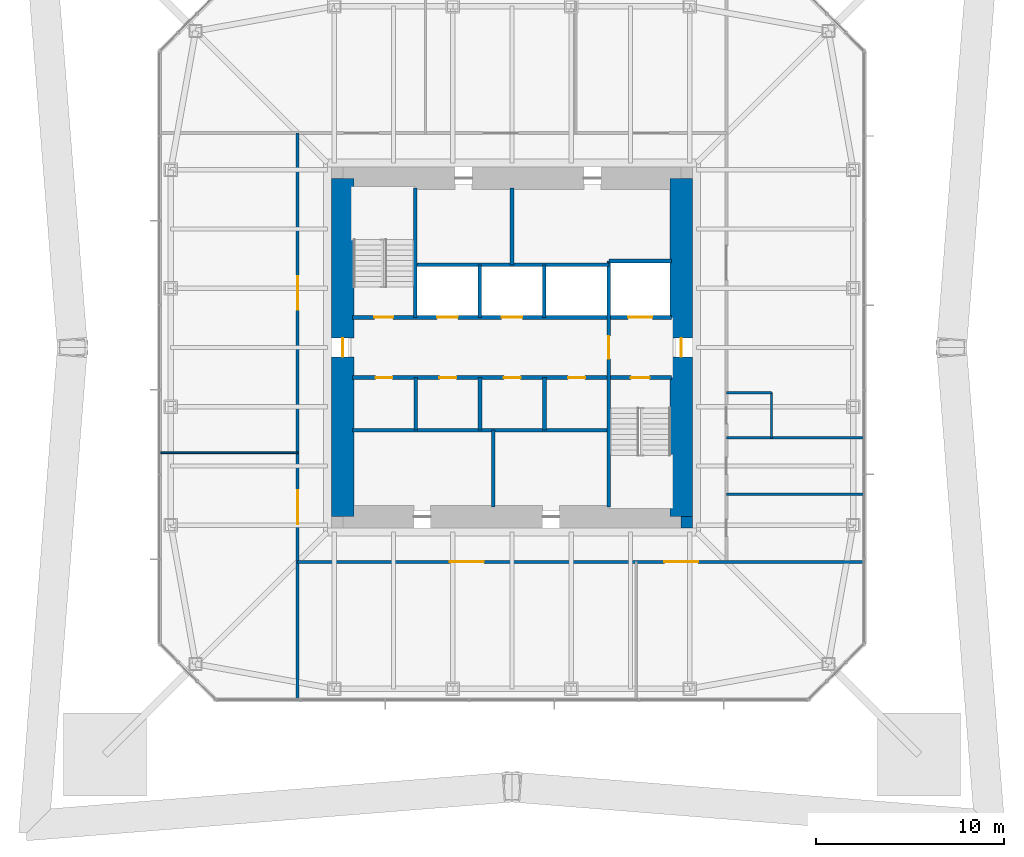
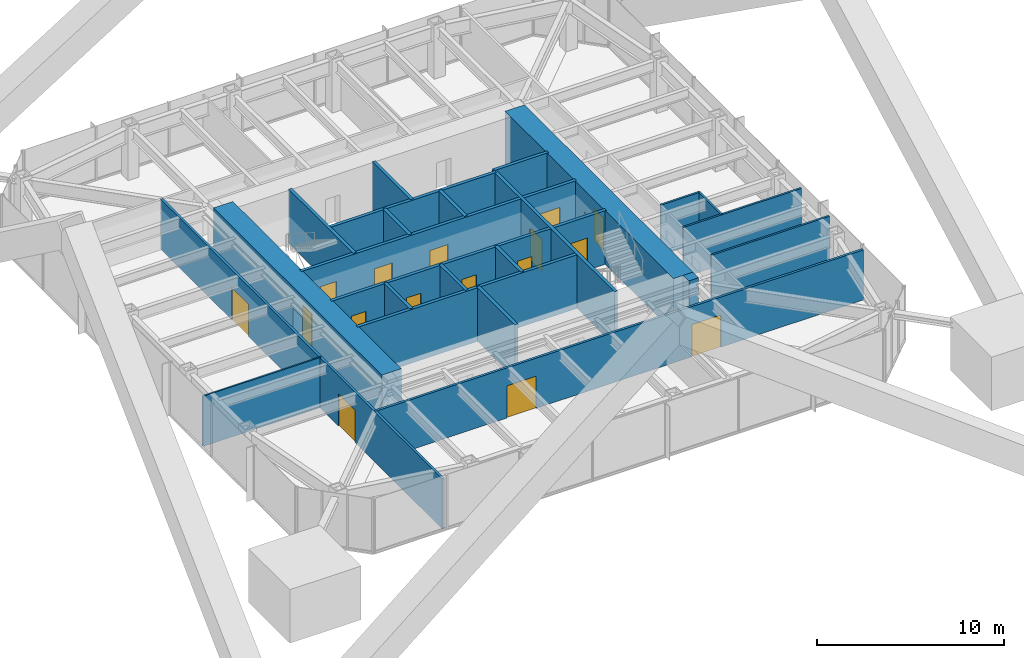
# One storey, part 8 of 11: 24 walls, 16 doors, 16 openings.
"""IFC4 building model written with IfcOpenShell, lengths in metres."""

from ifc_helpers import new_model, si_unit, direction, frame, frame_2d, origin, place, context, subcontext, project, spatial, rectangle, extrude, material, layer, layer_set, type_object, element, fill, save


model = new_model("IFC4")

# Units and contexts
model_context = context("Model", 3, precision=1e-05, world=origin(), true_north=direction((0.0, 1.0)))
body_context = subcontext(model_context, "Body", "Model", "MODEL_VIEW")
ifc_project = project(units=[si_unit("LENGTHUNIT", "METRE"), si_unit("AREAUNIT", "SQUARE_METRE"), si_unit("VOLUMEUNIT", "CUBIC_METRE"), si_unit("PLANEANGLEUNIT", "RADIAN"), si_unit("MASSUNIT", "GRAM", prefix="KILO")], contexts=[model_context])

# Site, building, storey
site_placement = place(None, origin())
site = spatial("IfcSite", under=ifc_project, at=site_placement, CompositionType="ELEMENT")
building_placement = place(site_placement, origin())
building = spatial("IfcBuilding", under=site, at=building_placement, Name="Iwan Alto Co-Living Towers", CompositionType="ELEMENT")
storey_placement = place(building_placement, frame((0.0, 0.0, 149.5)))
storey = spatial("IfcBuildingStorey", under=building, at=storey_placement, Name="L40", CompositionType="ELEMENT", Elevation=149.5)

# Wall, openings, doors
ifc_material_1 = material(Name="Gypsum board")
ifc_layer_1 = layer(ifc_material_1, 0.02490234375, Name="Board", Category="Finish")
ifc_material_2 = material(Name="Steel ASTM A1003 ST33H cold-formed studs", Category="steel")
ifc_layer_2 = layer(ifc_material_2, 0.10009765625, Name="Studs", Category="Framing")
ifc_layer_3 = layer(ifc_material_1, 0.02490234375, Name="Board", Category="Finish")
ifc_layer_set_1 = layer_set([ifc_layer_1, ifc_layer_2, ifc_layer_3], Name="CORRIDOR WALL 150")
wall_type_1 = type_object("IfcWallType", Name="CORRIDOR WALL 150", PredefinedType="PARTITIONING", material=ifc_layer_set_1)
wall_1_placement = place(storey_placement, frame((-11.39990234375, -11.39990234375, 0.0), z_axis=(0.0, 0.0, 1.0), x_axis=(1.0, 0.0, 0.0)))
wall_1 = element("IfcWall", 1, at=wall_1_placement, inside=storey, type_object=wall_type_1, Name="Partition L40", PredefinedType="PARTITIONING", context=body_context, shape_type="SweptSolid", body=[
    extrude(rectangle(XDim=30.08984375, YDim=0.14990234375, at=frame_2d((15.044921875, 0.0))), origin(), (0.0, 0.0, 1.0), 3.27001953125),
])
opening_1_placement = place(wall_1_placement, frame((8.10009765625, 0.0, 0.0)))
opening_1 = element("IfcOpeningElement", 2, at=opening_1_placement, cuts=wall_1, Name="Opening D9", PredefinedType="OPENING", context=body_context, shape_type="SweptSolid", body=[
    extrude(rectangle(XDim=1.800048828125, YDim=2.10009765625, at=frame_2d((0.89990234375, 1.050048828125))), frame((0.0, 0.0849609375, 0.0), z_axis=(0.0, -1.0, 0.0), x_axis=(1.0, 0.0, 0.0)), (0.0, 0.0, 1.0), 0.169921875),
])
opening_2_placement = place(wall_1_placement, frame((19.5, 0.0, 0.0)))
opening_2 = element("IfcOpeningElement", 3, at=opening_2_placement, cuts=wall_1, Name="Opening D9", PredefinedType="OPENING", context=body_context, shape_type="SweptSolid", body=[
    extrude(rectangle(XDim=1.800048828125, YDim=2.10009765625, at=frame_2d((0.89990234375, 1.050048828125))), frame((0.0, 0.0849609375, 0.0), z_axis=(0.0, -1.0, 0.0), x_axis=(1.0, 0.0, 0.0)), (0.0, 0.0, 1.0), 0.169921875),
])
ifc_material_3 = material(Name="Steel frame with timber leaf", Category="steel")
door_type_1 = type_object("IfcDoorType", Name="LOUNGE DOOR FD30S 1800X2100", OperationType="DOUBLE_DOOR_SINGLE_SWING", PredefinedType="DOOR", material=ifc_material_3)
door_1_placement = place(opening_1_placement, frame((1.800048828125, 0.0, 0.0), z_axis=(0.0, 0.0, 1.0), x_axis=(-1.0, 0.0, 0.0)))
door_1 = element("IfcDoor", 4, at=door_1_placement, inside=storey, type_object=door_type_1, Name="Co-working studio door L40", OperationType="DOUBLE_DOOR_SINGLE_SWING", OverallHeight=2.10009765625, OverallWidth=1.800048828125, PredefinedType="DOOR", context=body_context, shape_type="SweptSolid", body=[
    extrude(rectangle(XDim=1.800048828125, YDim=2.10009765625, at=frame_2d((0.89990234375, 1.050048828125))), frame((0.0, 0.02490234375, 0.0), z_axis=(0.0, -1.0, 0.0), x_axis=(1.0, 0.0, 0.0)), (0.0, 0.0, 1.0), 0.050048828125),
])
fill(opening_1, door_1)
door_2_placement = place(opening_2_placement, frame((1.800048828125, 0.0, 0.0), z_axis=(0.0, 0.0, 1.0), x_axis=(-1.0, 0.0, 0.0)))
door_2 = element("IfcDoor", 5, at=door_2_placement, inside=storey, type_object=door_type_1, Name="Meeting room door L40", OperationType="DOUBLE_DOOR_SINGLE_SWING", OverallHeight=2.10009765625, OverallWidth=1.800048828125, PredefinedType="DOOR", context=body_context, shape_type="SweptSolid", body=[
    extrude(rectangle(XDim=1.800048828125, YDim=2.10009765625, at=frame_2d((0.89990234375, 1.050048828125))), frame((0.0, 0.02490234375, 0.0), z_axis=(0.0, -1.0, 0.0), x_axis=(1.0, 0.0, 0.0)), (0.0, 0.0, 1.0), 0.050048828125),
])
fill(opening_2, door_2)

wall_2_placement = place(storey_placement, frame((-11.39990234375, -18.68994140625, 0.0), z_axis=(0.0, 0.0, 1.0), x_axis=(0.0, 1.0, 0.0)))
wall_2 = element("IfcWall", 6, at=wall_2_placement, inside=storey, type_object=wall_type_1, Name="Partition L40", PredefinedType="PARTITIONING", context=body_context, shape_type="SweptSolid", body=[
    extrude(rectangle(XDim=30.08984375, YDim=0.14990234375, at=frame_2d((15.044921875, 0.0))), origin(), (0.0, 0.0, 1.0), 3.27001953125),
])
opening_3_placement = place(wall_2_placement, frame((20.68994140625, 0.0, 0.0)))
opening_3 = element("IfcOpeningElement", 7, at=opening_3_placement, cuts=wall_2, Name="Opening D9", PredefinedType="OPENING", context=body_context, shape_type="SweptSolid", body=[
    extrude(rectangle(XDim=1.800048828125, YDim=2.10009765625, at=frame_2d((0.89990234375, 1.050048828125))), frame((0.0, 0.0849609375, 0.0), z_axis=(0.0, -1.0, 0.0), x_axis=(1.0, 0.0, 0.0)), (0.0, 0.0, 1.0), 0.169921875),
])
opening_4_placement = place(wall_2_placement, frame((9.2900390625, 0.0, 0.0)))
opening_4 = element("IfcOpeningElement", 8, at=opening_4_placement, cuts=wall_2, Name="Opening D9", PredefinedType="OPENING", context=body_context, shape_type="SweptSolid", body=[
    extrude(rectangle(XDim=1.800048828125, YDim=2.10009765625, at=frame_2d((0.89990234375, 1.050048828125))), frame((0.0, 0.0849609375, 0.0), z_axis=(0.0, -1.0, 0.0), x_axis=(1.0, 0.0, 0.0)), (0.0, 0.0, 1.0), 0.169921875),
])
door_3_placement = place(opening_3_placement, origin())
door_3 = element("IfcDoor", 9, at=door_3_placement, inside=storey, type_object=door_type_1, Name="Residents' sky lounge door L40", OperationType="DOUBLE_DOOR_SINGLE_SWING", OverallHeight=2.10009765625, OverallWidth=1.800048828125, PredefinedType="DOOR", context=body_context, shape_type="SweptSolid", body=[
    extrude(rectangle(XDim=1.800048828125, YDim=2.10009765625, at=frame_2d((0.89990234375, 1.050048828125))), frame((0.0, 0.02490234375, 0.0), z_axis=(0.0, -1.0, 0.0), x_axis=(1.0, 0.0, 0.0)), (0.0, 0.0, 1.0), 0.050048828125),
])
fill(opening_3, door_3)
door_4_placement = place(opening_4_placement, origin())
door_4 = element("IfcDoor", 10, at=door_4_placement, inside=storey, type_object=door_type_1, Name="Tea kitchen door L40", OperationType="DOUBLE_DOOR_SINGLE_SWING", OverallHeight=2.10009765625, OverallWidth=1.800048828125, PredefinedType="DOOR", context=body_context, shape_type="SweptSolid", body=[
    extrude(rectangle(XDim=1.800048828125, YDim=2.10009765625, at=frame_2d((0.89990234375, 1.050048828125))), frame((0.0, 0.02490234375, 0.0), z_axis=(0.0, -1.0, 0.0), x_axis=(1.0, 0.0, 0.0)), (0.0, 0.0, 1.0), 0.050048828125),
])
fill(opening_4, door_4)

# Walls
ifc_layer_4 = layer(ifc_material_1, 0.012451171875, Name="Board", Category="Finish")
ifc_layer_5 = layer(ifc_material_2, 0.074951171875, Name="Studs", Category="Framing")
ifc_layer_6 = layer(ifc_material_1, 0.012451171875, Name="Board", Category="Finish")
ifc_layer_set_2 = layer_set([ifc_layer_4, ifc_layer_5, ifc_layer_6], Name="PARTITION 100")
wall_type_2 = type_object("IfcWallType", Name="PARTITION 100", PredefinedType="PARTITIONING", material=ifc_layer_set_2)
wall_3_placement = place(storey_placement, frame((-18.68994140625, -5.60009765625, 0.0), z_axis=(0.0, 0.0, 1.0), x_axis=(1.0, 0.0, 0.0)))
element("IfcWall", 11, at=wall_3_placement, inside=storey, type_object=wall_type_2, Name="Partition L40", PredefinedType="PARTITIONING", context=body_context, shape_type="SweptSolid", body=[
    extrude(rectangle(XDim=7.2900390625, YDim=0.10009765625, at=frame_2d((3.64501953125, 0.0))), origin(), (0.0, 0.0, 1.0), 3.27001953125),
])
ifc_material_4 = material(Name="Concrete f'c 70 MPa", Category="concrete")
ifc_layer_7 = layer(ifc_material_4, 0.199951171875)
ifc_layer_set_3 = layer_set([ifc_layer_7], Name="SHAFT WALL 200")
wall_type_3 = type_object("IfcWallType", Name="SHAFT WALL 200", PredefinedType="SOLIDWALL", material=ifc_layer_set_3)
wall_4_placement = place(storey_placement, frame((-8.489990234375, -4.39990234375, 0.0), z_axis=(0.0, 0.0, 1.0), x_axis=(1.0, 0.0, 0.0)))
element("IfcWall", 12, at=wall_4_placement, inside=storey, type_object=wall_type_3, Name="Shaft wall L40", PredefinedType="SOLIDWALL", context=body_context, shape_type="SweptSolid", body=[
    extrude(rectangle(XDim=13.639892578125, YDim=0.199951171875, at=frame_2d((6.81982421875, 0.0))), origin(), (0.0, 0.0, 1.0), 3.5),
])

# Wall, openings, doors
wall_5_placement = place(storey_placement, frame((-8.489990234375, -1.60009765625, 0.0), z_axis=(0.0, 0.0, 1.0), x_axis=(1.0, 0.0, 0.0)))
wall_5 = element("IfcWall", 13, at=wall_5_placement, inside=storey, type_object=wall_type_3, Name="Shaft wall L40", PredefinedType="SOLIDWALL", context=body_context, shape_type="SweptSolid", body=[
    extrude(rectangle(XDim=16.97998046875, YDim=0.199951171875, at=frame_2d((8.489990234375, 0.0))), origin(), (0.0, 0.0, 1.0), 3.5),
])
opening_5_placement = place(wall_5_placement, frame((14.81005859375, 0.0, 0.0)))
opening_5 = element("IfcOpeningElement", 14, at=opening_5_placement, cuts=wall_5, Name="Opening D5", PredefinedType="OPENING", context=body_context, shape_type="SweptSolid", body=[
    extrude(rectangle(XDim=1.0, YDim=2.10009765625, at=frame_2d((0.5, 1.050048828125))), frame((0.0, 0.10986328125, 0.0), z_axis=(0.0, -1.0, 0.0), x_axis=(1.0, 0.0, 0.0)), (0.0, 0.0, 1.0), 0.219970703125),
])
opening_6_placement = place(wall_5_placement, frame((1.23193359375, 0.0, 0.0)))
opening_6 = element("IfcOpeningElement", 15, at=opening_6_placement, cuts=wall_5, Name="Opening D15", PredefinedType="OPENING", context=body_context, shape_type="SweptSolid", body=[
    extrude(rectangle(XDim=0.89990234375, YDim=2.10009765625, at=frame_2d((0.449951171875, 1.050048828125))), frame((0.0, 0.10986328125, 0.0), z_axis=(0.0, -1.0, 0.0), x_axis=(1.0, 0.0, 0.0)), (0.0, 0.0, 1.0), 0.219970703125),
])
opening_7_placement = place(wall_5_placement, frame((4.626953125, 0.0, 0.0)))
opening_7 = element("IfcOpeningElement", 16, at=opening_7_placement, cuts=wall_5, Name="Opening D15", PredefinedType="OPENING", context=body_context, shape_type="SweptSolid", body=[
    extrude(rectangle(XDim=0.89990234375, YDim=2.10009765625, at=frame_2d((0.449951171875, 1.050048828125))), frame((0.0, 0.10986328125, 0.0), z_axis=(0.0, -1.0, 0.0), x_axis=(1.0, 0.0, 0.0)), (0.0, 0.0, 1.0), 0.219970703125),
])
opening_8_placement = place(wall_5_placement, frame((8.052001953125, 0.0, 0.0)))
opening_8 = element("IfcOpeningElement", 17, at=opening_8_placement, cuts=wall_5, Name="Opening D15", PredefinedType="OPENING", context=body_context, shape_type="SweptSolid", body=[
    extrude(rectangle(XDim=0.89990234375, YDim=2.10009765625, at=frame_2d((0.449951171875, 1.050048828125))), frame((0.0, 0.10986328125, 0.0), z_axis=(0.0, -1.0, 0.0), x_axis=(1.0, 0.0, 0.0)), (0.0, 0.0, 1.0), 0.219970703125),
])
opening_9_placement = place(wall_5_placement, frame((11.47802734375, 0.0, 0.0)))
opening_9 = element("IfcOpeningElement", 18, at=opening_9_placement, cuts=wall_5, Name="Opening D15", PredefinedType="OPENING", context=body_context, shape_type="SweptSolid", body=[
    extrude(rectangle(XDim=0.89990234375, YDim=2.10009765625, at=frame_2d((0.449951171875, 1.050048828125))), frame((0.0, 0.10986328125, 0.0), z_axis=(0.0, -1.0, 0.0), x_axis=(1.0, 0.0, 0.0)), (0.0, 0.0, 1.0), 0.219970703125),
])
ifc_material_5 = material(Name="Steel frame with timber leaf", Category="steel")
door_type_2 = type_object("IfcDoorType", Name="CORE ROOM DOOR FD60S 900X2100", OperationType="SINGLE_SWING_LEFT", PredefinedType="DOOR", material=ifc_material_5)
door_5_placement = place(opening_6_placement, frame((0.89990234375, 0.0, 0.0), z_axis=(0.0, 0.0, 1.0), x_axis=(-1.0, 0.0, 0.0)))
door_5 = element("IfcDoor", 19, at=door_5_placement, inside=storey, type_object=door_type_2, Name="Linen store door L40", OperationType="SINGLE_SWING_LEFT", OverallHeight=2.10009765625, OverallWidth=0.89990234375, PredefinedType="DOOR", context=body_context, shape_type="SweptSolid", body=[
    extrude(rectangle(XDim=0.89990234375, YDim=2.10009765625, at=frame_2d((0.449951171875, 1.050048828125))), frame((0.0, 0.02490234375, 0.0), z_axis=(0.0, -1.0, 0.0), x_axis=(1.0, 0.0, 0.0)), (0.0, 0.0, 1.0), 0.050048828125),
])
fill(opening_6, door_5)
door_6_placement = place(opening_7_placement, frame((0.89990234375, 0.0, 0.0), z_axis=(0.0, 0.0, 1.0), x_axis=(-1.0, 0.0, 0.0)))
door_6 = element("IfcDoor", 20, at=door_6_placement, inside=storey, type_object=door_type_2, Name="Staff WC door L40", OperationType="SINGLE_SWING_RIGHT", OverallHeight=2.10009765625, OverallWidth=0.89990234375, PredefinedType="DOOR", context=body_context, shape_type="SweptSolid", body=[
    extrude(rectangle(XDim=0.89990234375, YDim=2.10009765625, at=frame_2d((0.449951171875, 1.050048828125))), frame((0.0, 0.02490234375, 0.0), z_axis=(0.0, -1.0, 0.0), x_axis=(1.0, 0.0, 0.0)), (0.0, 0.0, 1.0), 0.050048828125),
])
fill(opening_7, door_6)
door_7_placement = place(opening_8_placement, frame((0.89990234375, 0.0, 0.0), z_axis=(0.0, 0.0, 1.0), x_axis=(-1.0, 0.0, 0.0)))
door_7 = element("IfcDoor", 21, at=door_7_placement, inside=storey, type_object=door_type_2, Name="Comms room door L40", OperationType="SINGLE_SWING_RIGHT", OverallHeight=2.10009765625, OverallWidth=0.89990234375, PredefinedType="DOOR", context=body_context, shape_type="SweptSolid", body=[
    extrude(rectangle(XDim=0.89990234375, YDim=2.10009765625, at=frame_2d((0.449951171875, 1.050048828125))), frame((0.0, 0.02490234375, 0.0), z_axis=(0.0, -1.0, 0.0), x_axis=(1.0, 0.0, 0.0)), (0.0, 0.0, 1.0), 0.050048828125),
])
fill(opening_8, door_7)
door_8_placement = place(opening_9_placement, frame((0.89990234375, 0.0, 0.0), z_axis=(0.0, 0.0, 1.0), x_axis=(-1.0, 0.0, 0.0)))
door_8 = element("IfcDoor", 22, at=door_8_placement, inside=storey, type_object=door_type_2, Name="Staff WC door L40", OperationType="SINGLE_SWING_RIGHT", OverallHeight=2.10009765625, OverallWidth=0.89990234375, PredefinedType="DOOR", context=body_context, shape_type="SweptSolid", body=[
    extrude(rectangle(XDim=0.89990234375, YDim=2.10009765625, at=frame_2d((0.449951171875, 1.050048828125))), frame((0.0, 0.02490234375, 0.0), z_axis=(0.0, -1.0, 0.0), x_axis=(1.0, 0.0, 0.0)), (0.0, 0.0, 1.0), 0.050048828125),
])
fill(opening_9, door_8)
ifc_material_6 = material(Name="Steel frame with timber leaf", Category="steel")
door_type_3 = type_object("IfcDoorType", Name="STAIR DOOR FD120S 1000X2100", OperationType="SINGLE_SWING_LEFT", PredefinedType="DOOR", material=ifc_material_6)
door_9_placement = place(opening_5_placement, frame((1.0, 0.0, 0.0), z_axis=(0.0, 0.0, 1.0), x_axis=(-1.0, 0.0, 0.0)))
door_9 = element("IfcDoor", 23, at=door_9_placement, inside=storey, type_object=door_type_3, Name="Stair S2 door L40", OperationType="SINGLE_SWING_RIGHT", OverallHeight=2.10009765625, OverallWidth=1.0, PredefinedType="DOOR", context=body_context, shape_type="SweptSolid", body=[
    extrude(rectangle(XDim=1.0, YDim=2.10009765625, at=frame_2d((0.5, 1.050048828125))), frame((0.0, 0.02490234375, 0.0), z_axis=(0.0, -1.0, 0.0), x_axis=(1.0, 0.0, 0.0)), (0.0, 0.0, 1.0), 0.050048828125),
])
fill(opening_5, door_9)

wall_6_placement = place(storey_placement, frame((-8.489990234375, 1.60009765625, 0.0), z_axis=(0.0, 0.0, 1.0), x_axis=(1.0, 0.0, 0.0)))
wall_6 = element("IfcWall", 24, at=wall_6_placement, inside=storey, type_object=wall_type_3, Name="Shaft wall L40", PredefinedType="SOLIDWALL", context=body_context, shape_type="SweptSolid", body=[
    extrude(rectangle(XDim=16.97998046875, YDim=0.199951171875, at=frame_2d((8.489990234375, 0.0))), origin(), (0.0, 0.0, 1.0), 3.5),
])
opening_10_placement = place(wall_6_placement, frame((1.169921875, 0.0, 0.0)))
opening_10 = element("IfcOpeningElement", 25, at=opening_10_placement, cuts=wall_6, Name="Opening D5", PredefinedType="OPENING", context=body_context, shape_type="SweptSolid", body=[
    extrude(rectangle(XDim=1.0, YDim=2.10009765625, at=frame_2d((0.5, 1.050048828125))), frame((0.0, 0.10986328125, 0.0), z_axis=(0.0, -1.0, 0.0), x_axis=(1.0, 0.0, 0.0)), (0.0, 0.0, 1.0), 0.219970703125),
])
opening_11_placement = place(wall_6_placement, frame((4.506103515625, 0.0, 0.0)))
opening_11 = element("IfcOpeningElement", 26, at=opening_11_placement, cuts=wall_6, Name="Opening LD", PredefinedType="OPENING", context=body_context, shape_type="SweptSolid", body=[
    extrude(rectangle(XDim=1.10009765625, YDim=2.10009765625, at=frame_2d((0.550048828125, 1.050048828125))), frame((0.0, 0.10986328125, 0.0), z_axis=(0.0, -1.0, 0.0), x_axis=(1.0, 0.0, 0.0)), (0.0, 0.0, 1.0), 0.219970703125),
])
opening_12_placement = place(wall_6_placement, frame((7.93994140625, 0.0, 0.0)))
opening_12 = element("IfcOpeningElement", 27, at=opening_12_placement, cuts=wall_6, Name="Opening LD", PredefinedType="OPENING", context=body_context, shape_type="SweptSolid", body=[
    extrude(rectangle(XDim=1.10009765625, YDim=2.10009765625, at=frame_2d((0.550048828125, 1.050048828125))), frame((0.0, 0.10986328125, 0.0), z_axis=(0.0, -1.0, 0.0), x_axis=(1.0, 0.0, 0.0)), (0.0, 0.0, 1.0), 0.219970703125),
])
opening_13_placement = place(wall_6_placement, frame((14.659912109375, 0.0, 0.0)))
opening_13 = element("IfcOpeningElement", 28, at=opening_13_placement, cuts=wall_6, Name="Opening LD2", PredefinedType="OPENING", context=body_context, shape_type="SweptSolid", body=[
    extrude(rectangle(XDim=1.300048828125, YDim=2.10009765625, at=frame_2d((0.64990234375, 1.050048828125))), frame((0.0, 0.10986328125, 0.0), z_axis=(0.0, -1.0, 0.0), x_axis=(1.0, 0.0, 0.0)), (0.0, 0.0, 1.0), 0.219970703125),
])
ifc_material_7 = material(Name="Steel frame with timber leaf", Category="steel")
door_type_4 = type_object("IfcDoorType", Name="LIFT LANDING DOOR 1100X2100", OperationType="DOUBLE_DOOR_SLIDING", PredefinedType="DOOR", material=ifc_material_7)
door_10_placement = place(opening_11_placement, origin())
door_10 = element("IfcDoor", 29, at=door_10_placement, inside=storey, type_object=door_type_4, Name="Lift P3-1 landing door L40", OperationType="DOUBLE_DOOR_SLIDING", OverallHeight=2.10009765625, OverallWidth=1.10009765625, PredefinedType="DOOR", context=body_context, shape_type="SweptSolid", body=[
    extrude(rectangle(XDim=1.10009765625, YDim=2.10009765625, at=frame_2d((0.550048828125, 1.050048828125))), frame((0.0, 0.02490234375, 0.0), z_axis=(0.0, -1.0, 0.0), x_axis=(1.0, 0.0, 0.0)), (0.0, 0.0, 1.0), 0.050048828125),
])
fill(opening_11, door_10)
door_11_placement = place(opening_12_placement, origin())
door_11 = element("IfcDoor", 30, at=door_11_placement, inside=storey, type_object=door_type_4, Name="Lift P3-2 landing door L40", OperationType="DOUBLE_DOOR_SLIDING", OverallHeight=2.10009765625, OverallWidth=1.10009765625, PredefinedType="DOOR", context=body_context, shape_type="SweptSolid", body=[
    extrude(rectangle(XDim=1.10009765625, YDim=2.10009765625, at=frame_2d((0.550048828125, 1.050048828125))), frame((0.0, 0.02490234375, 0.0), z_axis=(0.0, -1.0, 0.0), x_axis=(1.0, 0.0, 0.0)), (0.0, 0.0, 1.0), 0.050048828125),
])
fill(opening_12, door_11)
ifc_material_8 = material(Name="Steel frame with timber leaf", Category="steel")
door_type_5 = type_object("IfcDoorType", Name="LIFT LANDING DOOR 1300X2100", OperationType="SLIDING_TO_LEFT", PredefinedType="DOOR", material=ifc_material_8)
door_12_placement = place(opening_13_placement, origin())
door_12 = element("IfcDoor", 31, at=door_12_placement, inside=storey, type_object=door_type_5, Name="Lift FL1 landing door L40", OperationType="SLIDING_TO_LEFT", OverallHeight=2.10009765625, OverallWidth=1.300048828125, PredefinedType="DOOR", context=body_context, shape_type="SweptSolid", body=[
    extrude(rectangle(XDim=1.300048828125, YDim=2.10009765625, at=frame_2d((0.64990234375, 1.050048828125))), frame((0.0, 0.02490234375, 0.0), z_axis=(0.0, -1.0, 0.0), x_axis=(1.0, 0.0, 0.0)), (0.0, 0.0, 1.0), 0.050048828125),
])
fill(opening_13, door_12)
door_13_placement = place(opening_10_placement, origin())
door_13 = element("IfcDoor", 32, at=door_13_placement, inside=storey, type_object=door_type_3, Name="Stair S1 door L40", OperationType="SINGLE_SWING_RIGHT", OverallHeight=2.10009765625, OverallWidth=1.0, PredefinedType="DOOR", context=body_context, shape_type="SweptSolid", body=[
    extrude(rectangle(XDim=1.0, YDim=2.10009765625, at=frame_2d((0.5, 1.050048828125))), frame((0.0, 0.02490234375, 0.0), z_axis=(0.0, -1.0, 0.0), x_axis=(1.0, 0.0, 0.0)), (0.0, 0.0, 1.0), 0.050048828125),
])
fill(opening_10, door_13)

# Walls
wall_7_placement = place(storey_placement, frame((-5.14990234375, 4.39990234375, 0.0), z_axis=(0.0, 0.0, 1.0), x_axis=(1.0, 0.0, 0.0)))
element("IfcWall", 33, at=wall_7_placement, inside=storey, type_object=wall_type_3, Name="Shaft wall L40", PredefinedType="SOLIDWALL", context=body_context, shape_type="SweptSolid", body=[
    extrude(rectangle(XDim=10.2998046875, YDim=0.199951171875, at=frame_2d((5.14990234375, 0.0))), origin(), (0.0, 0.0, 1.0), 3.5),
])
wall_8_placement = place(storey_placement, frame((5.14990234375, 4.60009765625, 0.0), z_axis=(0.0, 0.0, 1.0), x_axis=(1.0, 0.0, 0.0)))
element("IfcWall", 34, at=wall_8_placement, inside=storey, type_object=wall_type_3, Name="Shaft wall L40", PredefinedType="SOLIDWALL", context=body_context, shape_type="SweptSolid", body=[
    extrude(rectangle(XDim=3.340087890625, YDim=0.199951171875, at=frame_2d((1.669921875, 0.0))), origin(), (0.0, 0.0, 1.0), 3.5),
])

# Wall, opening, door
wall_9_placement = place(storey_placement, frame((5.14990234375, -8.489990234375, 0.0), z_axis=(0.0, 0.0, 1.0), x_axis=(0.0, 1.0, 0.0)))
wall_9 = element("IfcWall", 35, at=wall_9_placement, inside=storey, type_object=wall_type_3, Name="Shaft wall L40", PredefinedType="SOLIDWALL", context=body_context, shape_type="SweptSolid", body=[
    extrude(rectangle(XDim=13.090087890625, YDim=0.199951171875, at=frame_2d((6.544921875, 0.0))), origin(), (0.0, 0.0, 1.0), 3.5),
])
opening_14_placement = place(wall_9_placement, frame((7.889892578125, 0.0, 0.0)))
opening_14 = element("IfcOpeningElement", 36, at=opening_14_placement, cuts=wall_9, Name="Opening D6", PredefinedType="OPENING", context=body_context, shape_type="SweptSolid", body=[
    extrude(rectangle(XDim=1.199951171875, YDim=2.10009765625, at=frame_2d((0.60009765625, 1.050048828125))), frame((0.0, 0.10986328125, 0.0), z_axis=(0.0, -1.0, 0.0), x_axis=(1.0, 0.0, 0.0)), (0.0, 0.0, 1.0), 0.219970703125),
])
ifc_material_9 = material(Name="Steel frame with timber leaf", Category="steel")
door_type_6 = type_object("IfcDoorType", Name="LOBBY DOOR FD120S 1200X2100", OperationType="SINGLE_SWING_LEFT", PredefinedType="DOOR", material=ifc_material_9)
door_14_placement = place(opening_14_placement, frame((1.199951171875, 0.0, 0.0), z_axis=(0.0, 0.0, 1.0), x_axis=(-1.0, 0.0, 0.0)))
door_14 = element("IfcDoor", 37, at=door_14_placement, inside=storey, type_object=door_type_6, Name="Firefighting lobby door L40", OperationType="SINGLE_SWING_RIGHT", OverallHeight=2.10009765625, OverallWidth=1.199951171875, PredefinedType="DOOR", context=body_context, shape_type="SweptSolid", body=[
    extrude(rectangle(XDim=1.199951171875, YDim=2.10009765625, at=frame_2d((0.60009765625, 1.050048828125))), frame((0.0, 0.02490234375, 0.0), z_axis=(0.0, -1.0, 0.0), x_axis=(1.0, 0.0, 0.0)), (0.0, 0.0, 1.0), 0.050048828125),
])
fill(opening_14, door_14)

# Walls
for number, where, z_axis, x_axis, name in (
    (38, (1.72509765625, -4.39990234375, 0.0), (0.0, 0.0, 1.0), (0.0, 1.0, 0.0), "Shaft wall L40"),
    (39, (1.717041015625, 1.60009765625, 0.0), (0.0, 0.0, 1.0), (0.0, 1.0, 0.0), "Shaft wall L40"),
):
    element("IfcWall", number, at=place(storey_placement, frame(where, z_axis=z_axis, x_axis=x_axis)), inside=storey, type_object=wall_type_3, Name=name, PredefinedType="SOLIDWALL", context=body_context, shape_type="SweptSolid", body=[
        extrude(rectangle(XDim=2.7998046875, YDim=0.199951171875, at=frame_2d((1.39990234375, 0.0))), origin(), (0.0, 0.0, 1.0), 3.5),
    ])
for number, where, z_axis, x_axis, name in (
    (40, (0.0, 4.39990234375, 0.0), (0.0, 0.0, 1.0), (0.0, 1.0, 0.0), "Shaft wall L40"),
    (41, (-1.0, -8.489990234375, 0.0), (0.0, 0.0, 1.0), (0.0, 1.0, 0.0), "Shaft wall L40"),
):
    element("IfcWall", number, at=place(storey_placement, frame(where, z_axis=z_axis, x_axis=x_axis)), inside=storey, type_object=wall_type_3, Name=name, PredefinedType="SOLIDWALL", context=body_context, shape_type="SweptSolid", body=[
        extrude(rectangle(XDim=4.090087890625, YDim=0.199951171875, at=frame_2d((2.044921875, 0.0))), origin(), (0.0, 0.0, 1.0), 3.5),
    ])
for number, where, z_axis, x_axis, name in (
    (42, (-1.699951171875, -4.39990234375, 0.0), (0.0, 0.0, 1.0), (0.0, 1.0, 0.0), "Shaft wall L40"),
    (43, (-1.717041015625, 1.60009765625, 0.0), (0.0, 0.0, 1.0), (0.0, 1.0, 0.0), "Shaft wall L40"),
    (44, (-5.125, -4.39990234375, 0.0), (0.0, 0.0, 1.0), (0.0, 1.0, 0.0), "Shaft wall L40"),
):
    element("IfcWall", number, at=place(storey_placement, frame(where, z_axis=z_axis, x_axis=x_axis)), inside=storey, type_object=wall_type_3, Name=name, PredefinedType="SOLIDWALL", context=body_context, shape_type="SweptSolid", body=[
        extrude(rectangle(XDim=2.7998046875, YDim=0.199951171875, at=frame_2d((1.39990234375, 0.0))), origin(), (0.0, 0.0, 1.0), 3.5),
    ])
wall_10_placement = place(storey_placement, frame((-5.14990234375, 1.60009765625, 0.0), z_axis=(0.0, 0.0, 1.0), x_axis=(0.0, 1.0, 0.0)))
element("IfcWall", 45, at=wall_10_placement, inside=storey, type_object=wall_type_3, Name="Shaft wall L40", PredefinedType="SOLIDWALL", context=body_context, shape_type="SweptSolid", body=[
    extrude(rectangle(XDim=6.889892578125, YDim=0.199951171875, at=frame_2d((3.44482421875, 0.0))), origin(), (0.0, 0.0, 1.0), 3.5),
])
ifc_material_10 = material(Name="Concrete f'c 70 MPa", Category="concrete")
ifc_layer_8 = layer(ifc_material_10, 0.60009765625)
ifc_layer_set_4 = layer_set([ifc_layer_8], Name="T1 CORE CORNER FILL 600")
wall_type_4 = type_object("IfcWallType", Name="T1 CORE CORNER FILL 600", PredefinedType="SOLIDWALL", material=ifc_layer_set_4)
wall_11_placement = place(storey_placement, frame((9.0, -9.300048828125, 0.0), z_axis=(0.0, 0.0, 1.0), x_axis=(1.0, 0.0, 0.0)))
element("IfcWall", 46, at=wall_11_placement, inside=storey, type_object=wall_type_4, Name="T1 core corner SE L40", PredefinedType="SOLIDWALL", context=body_context, shape_type="SweptSolid", body=[
    extrude(rectangle(XDim=0.60009765625, YDim=0.60009765625, at=frame_2d((0.300048828125, 0.0))), origin(), (0.0, 0.0, 1.0), 3.5),
])

# Wall, opening, door
ifc_material_11 = material(Name="Concrete f'c 70 MPa", Category="concrete")
ifc_layer_9 = layer(ifc_material_11, 1.199951171875)
ifc_layer_set_5 = layer_set([ifc_layer_9], Name="T1 CORE WALL 1200")
wall_type_5 = type_object("IfcWallType", Name="T1 CORE WALL 1200", PredefinedType="SHEAR", material=ifc_layer_set_5)
wall_12_placement = place(storey_placement, frame((9.0, -9.0, 0.0), z_axis=(0.0, 0.0, 1.0), x_axis=(0.0, 1.0, 0.0)))
wall_12 = element("IfcWall", 47, at=wall_12_placement, inside=storey, type_object=wall_type_5, Name="T1 core wall E L40", PredefinedType="SHEAR", context=body_context, shape_type="SweptSolid", body=[
    extrude(rectangle(XDim=18.0, YDim=1.199951171875, at=frame_2d((9.0, 0.0))), origin(), (0.0, 0.0, 1.0), 3.5),
])
opening_15_placement = place(wall_12_placement, frame((8.5, 0.0, 0.0)))
opening_15 = element("IfcOpeningElement", 48, at=opening_15_placement, cuts=wall_12, Name="Opening D7", PredefinedType="OPENING", context=body_context, shape_type="SweptSolid", body=[
    extrude(rectangle(XDim=1.0, YDim=2.10009765625, at=frame_2d((0.5, 1.050048828125))), frame((0.0, 0.60986328125, 0.0), z_axis=(0.0, -1.0, 0.0), x_axis=(1.0, 0.0, 0.0)), (0.0, 0.0, 1.0), 1.219970703125),
])
ifc_material_12 = material(Name="Steel frame with timber leaf", Category="steel")
door_type_7 = type_object("IfcDoorType", Name="CORE DOOR FD120S 1000X2100", OperationType="SINGLE_SWING_LEFT", PredefinedType="DOOR", material=ifc_material_12)
door_15_placement = place(opening_15_placement, origin())
door_15 = element("IfcDoor", 49, at=door_15_placement, inside=storey, type_object=door_type_7, Name="Firefighting lobby core door L40", OperationType="SINGLE_SWING_LEFT", OverallHeight=2.10009765625, OverallWidth=1.0, PredefinedType="DOOR", context=body_context, shape_type="SweptSolid", body=[
    extrude(rectangle(XDim=1.0, YDim=2.10009765625, at=frame_2d((0.5, 1.050048828125))), frame((0.0, 0.02490234375, 0.0), z_axis=(0.0, -1.0, 0.0), x_axis=(1.0, 0.0, 0.0)), (0.0, 0.0, 1.0), 0.050048828125),
])
fill(opening_15, door_15)

wall_13_placement = place(storey_placement, frame((-9.0, 9.0, 0.0), z_axis=(0.0, 0.0, 1.0), x_axis=(0.0, -1.0, 0.0)))
wall_13 = element("IfcWall", 50, at=wall_13_placement, inside=storey, type_object=wall_type_5, Name="T1 core wall W L40", PredefinedType="SHEAR", context=body_context, shape_type="SweptSolid", body=[
    extrude(rectangle(XDim=18.0, YDim=1.199951171875, at=frame_2d((9.0, 0.0))), origin(), (0.0, 0.0, 1.0), 3.5),
])
opening_16_placement = place(wall_13_placement, frame((8.5, 0.0, 0.0)))
opening_16 = element("IfcOpeningElement", 51, at=opening_16_placement, cuts=wall_13, Name="Opening D7", PredefinedType="OPENING", context=body_context, shape_type="SweptSolid", body=[
    extrude(rectangle(XDim=1.0, YDim=2.10009765625, at=frame_2d((0.5, 1.050048828125))), frame((0.0, 0.60986328125, 0.0), z_axis=(0.0, -1.0, 0.0), x_axis=(1.0, 0.0, 0.0)), (0.0, 0.0, 1.0), 1.219970703125),
])
door_16_placement = place(opening_16_placement, origin())
door_16 = element("IfcDoor", 52, at=door_16_placement, inside=storey, type_object=door_type_7, Name="Lift lobby core door L40", OperationType="SINGLE_SWING_RIGHT", OverallHeight=2.10009765625, OverallWidth=1.0, PredefinedType="DOOR", context=body_context, shape_type="SweptSolid", body=[
    extrude(rectangle(XDim=1.0, YDim=2.10009765625, at=frame_2d((0.5, 1.050048828125))), frame((0.0, 0.02490234375, 0.0), z_axis=(0.0, -1.0, 0.0), x_axis=(1.0, 0.0, 0.0)), (0.0, 0.0, 1.0), 0.050048828125),
])
fill(opening_16, door_16)

# Walls
ifc_material_13 = material(Name="Cement board")
ifc_layer_10 = layer(ifc_material_13, 0.012451171875, Name="Board", Category="Finish")
ifc_layer_11 = layer(ifc_material_2, 0.094970703125, Name="Studs", Category="Framing")
ifc_layer_12 = layer(ifc_material_13, 0.012451171875, Name="Board", Category="Finish")
ifc_layer_set_6 = layer_set([ifc_layer_10, ifc_layer_11, ifc_layer_12], Name="WET AREA PARTITION 120")
wall_type_6 = type_object("IfcWallType", Name="WET AREA PARTITION 120", PredefinedType="PARTITIONING", material=ifc_layer_set_6)
for number, where, z_axis, x_axis, name in (
    (53, (11.39990234375, -7.800048828125, 0.0), (0.0, 0.0, 1.0), (1.0, 0.0, 0.0), "Partition L40"),
    (54, (11.39990234375, -4.800048828125, 0.0), (0.0, 0.0, 1.0), (1.0, 0.0, 0.0), "Partition L40"),
):
    element("IfcWall", number, at=place(storey_placement, frame(where, z_axis=z_axis, x_axis=x_axis)), inside=storey, type_object=wall_type_6, Name=name, PredefinedType="PARTITIONING", context=body_context, shape_type="SweptSolid", body=[
        extrude(rectangle(XDim=7.2900390625, YDim=0.1201171875, at=frame_2d((3.64501953125, 0.0))), origin(), (0.0, 0.0, 1.0), 3.27001953125),
    ])
for number, where, z_axis, x_axis, name in (
    (55, (11.39990234375, -2.39990234375, 0.0), (0.0, 0.0, 1.0), (1.0, 0.0, 0.0), "Partition L40"),
    (56, (13.800048828125, -4.800048828125, 0.0), (0.0, 0.0, 1.0), (0.0, 1.0, 0.0), "Partition L40"),
):
    element("IfcWall", number, at=place(storey_placement, frame(where, z_axis=z_axis, x_axis=x_axis)), inside=storey, type_object=wall_type_6, Name=name, PredefinedType="PARTITIONING", context=body_context, shape_type="SweptSolid", body=[
        extrude(rectangle(XDim=2.400146484375, YDim=0.1201171875, at=frame_2d((1.2001953125, 0.0))), origin(), (0.0, 0.0, 1.0), 3.27001953125),
    ])

save(model, "model.ifc")
